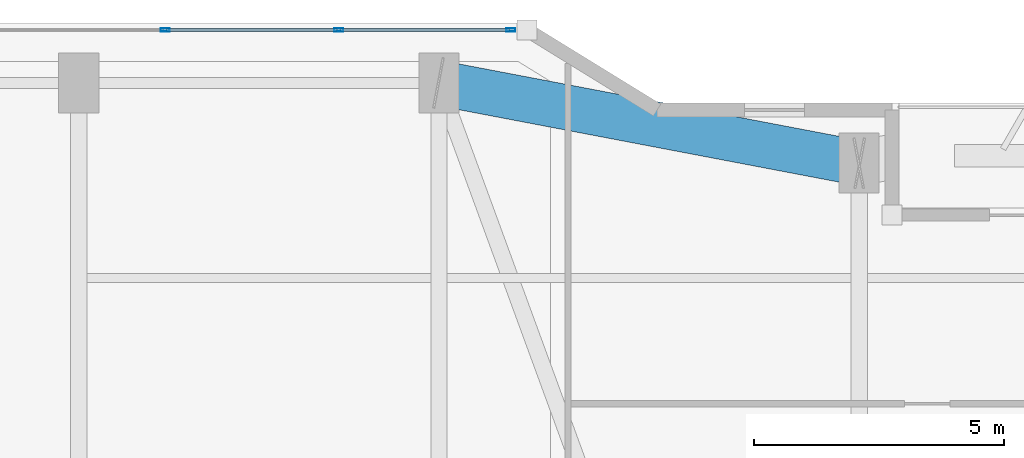
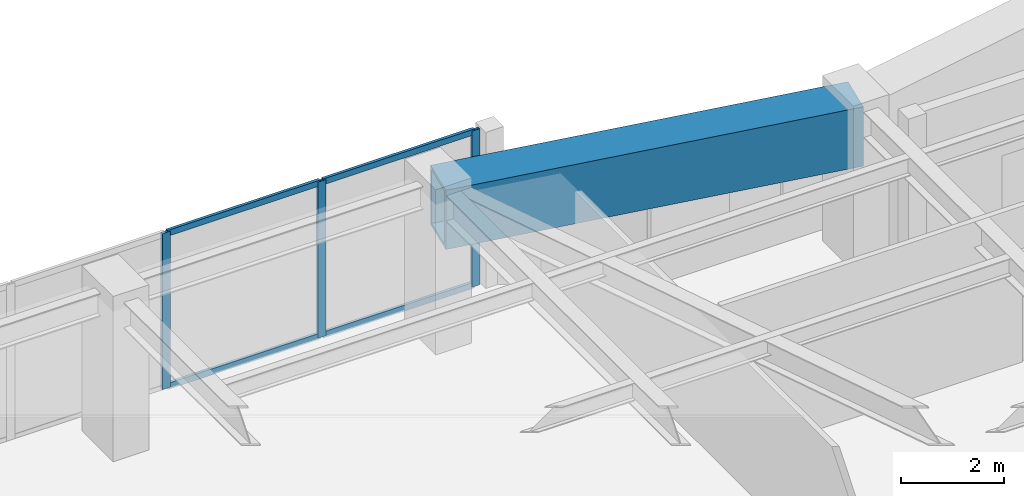
# One storey, part 19 of 30: 7 members, 1 beam, 1 element without a shape of its own.
"""IFC4 building model written with IfcOpenShell, lengths in metres."""

from ifc_helpers import new_model, si_unit, direction, frame, origin, origin_2d, place, context, subcontext, project, spatial, hollow_rectangle, extrude, material, layer, layer_set, material_profile, profile_set, type_object, element, aggregate, save


model = new_model("IFC4")

# Units and contexts
model_context = context("Model", 3, precision=1e-05, world=origin(), true_north=direction((0.0, 1.0)))
body_context = subcontext(model_context, "Body", "Model", "MODEL_VIEW")
ifc_project = project(units=[si_unit("LENGTHUNIT", "METRE"), si_unit("AREAUNIT", "SQUARE_METRE"), si_unit("VOLUMEUNIT", "CUBIC_METRE"), si_unit("PLANEANGLEUNIT", "RADIAN"), si_unit("MASSUNIT", "GRAM", prefix="KILO")], contexts=[model_context])

# Site, building, storey
site_placement = place(None, origin())
site = spatial("IfcSite", under=ifc_project, at=site_placement, CompositionType="ELEMENT")
building_placement = place(site_placement, origin())
building = spatial("IfcBuilding", under=site, at=building_placement, Name="Kiyonajd Concourse Tower", CompositionType="ELEMENT")
storey_placement = place(building_placement, frame((0.0, 0.0, 194.10009765625)))
storey = spatial("IfcBuildingStorey", under=building, at=storey_placement, Name="L49", CompositionType="ELEMENT", Elevation=194.10009765625)

# Beam
ifc_material_1 = material(Name="Steel ASTM A572 Grade 50", Category="steel")
ifc_material_profile_1 = material_profile(ifc_material_1, hollow_rectangle(XDim=0.89990234375, YDim=1.39990234375, WallThickness=0.070068359375, at=origin_2d()), Name="BOX-1400x900x70")
ifc_profile_set_1 = profile_set([ifc_material_profile_1], Name="Steel ASTM A572 Grade 50")
beam_type = type_object("IfcBeamType", Name="BM-XFER-1400", PredefinedType="BEAM", material=ifc_profile_set_1)
beam_placement = place(storey_placement, frame((48.0, 59.60009765625, 2.97998046875), z_axis=(-0.982341315253, 0.187097675953, 0.0), x_axis=(-0.187097675953, -0.982341315253, 0.0)))
element("IfcBeam", 1, at=beam_placement, inside=storey, type_object=beam_type, Name="L49 Perimeter Bundled Tube Spandrel", PredefinedType="BEAM", context=body_context, shape_type="SweptSolid", body=[
    extrude(hollow_rectangle(XDim=0.89990234375, YDim=1.39990234375, WallThickness=0.070068359375, at=origin_2d()), origin(), (0.0, 0.0, 1.0), 8.55078125),
])

# Curtain wall, members
ifc_material_2 = material(Name="Thermally Broken Anodised Aluminium", Category="aluminium")
ifc_layer = layer(ifc_material_2, 0.179931640625)
ifc_layer_set = layer_set([ifc_layer], Name="Thermally Broken Anodised Aluminium")
curtain_wall_type = type_object("IfcCurtainWallType", Name="CW-SYS-03", PredefinedType="NOTDEFINED", material=ifc_layer_set)
curtain_wall_placement = place(storey_placement, origin())
curtain_wall = element("IfcCurtainWall", 2, at=curtain_wall_placement, inside=storey, type_object=curtain_wall_type, Name="L49 Unitised Curtain Wall CW3", PredefinedType="NOTDEFINED")
ifc_material_profile_2 = material_profile(ifc_material_2, hollow_rectangle(XDim=0.06494140625, YDim=0.179931640625, WallThickness=0.00390625, at=origin_2d()), Name="MULL-65x180")
ifc_profile_set_2 = profile_set([ifc_material_profile_2], Name="Thermally Broken Anodised Aluminium")
member_type_1 = type_object("IfcMemberType", Name="MB-CW-MULL1", PredefinedType="MULLION", material=ifc_profile_set_2)
member_1_placement = place(storey_placement, frame((34.12548828125, 62.260009765625, 0.0), z_axis=(0.0, 0.0, 1.0), x_axis=(0.0, 1.0, 0.0)))
member_1 = element("IfcMember", 3, at=member_1_placement, type_object=member_type_1, Name="CW3 mullion 4", PredefinedType="MULLION", context=body_context, shape_type="SweptSolid", body=[
    extrude(hollow_rectangle(XDim=0.06494140625, YDim=0.179931640625, WallThickness=0.00390625, at=origin_2d()), origin(), (0.0, 0.0, 1.0), 3.679931640625),
])
member_2_placement = place(storey_placement, frame((37.597900390625, 62.260009765625, 0.0), z_axis=(0.0, 0.0, 1.0), x_axis=(0.0, 1.0, 0.0)))
member_2 = element("IfcMember", 4, at=member_2_placement, type_object=member_type_1, Name="CW3 mullion 5", PredefinedType="MULLION", context=body_context, shape_type="SweptSolid", body=[
    extrude(hollow_rectangle(XDim=0.06494140625, YDim=0.179931640625, WallThickness=0.00390625, at=origin_2d()), origin(), (0.0, 0.0, 1.0), 3.679931640625),
])
member_3_placement = place(storey_placement, frame((41.037841796875, 62.260009765625, 0.0), z_axis=(0.0, 0.0, 1.0), x_axis=(0.0, 1.0, 0.0)))
member_3 = element("IfcMember", 5, at=member_3_placement, type_object=member_type_1, Name="CW3 mullion 6", PredefinedType="MULLION", context=body_context, shape_type="SweptSolid", body=[
    extrude(hollow_rectangle(XDim=0.06494140625, YDim=0.179931640625, WallThickness=0.00390625, at=origin_2d()), origin(), (0.0, 0.0, 1.0), 3.679931640625),
])
ifc_material_profile_3 = material_profile(ifc_material_2, hollow_rectangle(XDim=0.06494140625, YDim=0.139892578125, WallThickness=0.00390625, at=origin_2d()), Name="TRAN-65x140")
ifc_profile_set_3 = profile_set([ifc_material_profile_3], Name="Thermally Broken Anodised Aluminium")
member_type_2 = type_object("IfcMemberType", Name="MB-CW-TRAN1", PredefinedType="USERDEFINED", material=ifc_profile_set_3)
member_4_placement = place(storey_placement, frame((34.158203125, 62.260009765625, 0.032470703125), z_axis=(1.0, 0.0, 0.0), x_axis=(0.0, 1.0, 0.0)))
member_4 = element("IfcMember", 6, at=member_4_placement, type_object=member_type_2, Name="CW3 transom 4.1", ObjectType="TRANSOM", PredefinedType="USERDEFINED", context=body_context, shape_type="SweptSolid", body=[
    extrude(hollow_rectangle(XDim=0.06494140625, YDim=0.139892578125, WallThickness=0.00390625, at=origin_2d()), origin(), (0.0, 0.0, 1.0), 3.4072265625),
])
member_5_placement = place(storey_placement, frame((34.158203125, 62.260009765625, 3.6474609375), z_axis=(1.0, 0.0, 0.0), x_axis=(0.0, 1.0, 0.0)))
member_5 = element("IfcMember", 7, at=member_5_placement, type_object=member_type_2, Name="CW3 transom 4.2", ObjectType="TRANSOM", PredefinedType="USERDEFINED", context=body_context, shape_type="SweptSolid", body=[
    extrude(hollow_rectangle(XDim=0.06494140625, YDim=0.139892578125, WallThickness=0.00390625, at=origin_2d()), origin(), (0.0, 0.0, 1.0), 3.4072265625),
])
member_6_placement = place(storey_placement, frame((37.630615234375, 62.260009765625, 0.032470703125), z_axis=(1.0, 0.0, 0.0), x_axis=(0.0, 1.0, 0.0)))
member_6 = element("IfcMember", 8, at=member_6_placement, type_object=member_type_2, Name="CW3 transom 5.1", ObjectType="TRANSOM", PredefinedType="USERDEFINED", context=body_context, shape_type="SweptSolid", body=[
    extrude(hollow_rectangle(XDim=0.06494140625, YDim=0.139892578125, WallThickness=0.00390625, at=origin_2d()), origin(), (0.0, 0.0, 1.0), 3.374755859375),
])
member_7_placement = place(storey_placement, frame((37.630615234375, 62.260009765625, 3.6474609375), z_axis=(1.0, 0.0, 0.0), x_axis=(0.0, 1.0, 0.0)))
member_7 = element("IfcMember", 9, at=member_7_placement, type_object=member_type_2, Name="CW3 transom 5.2", ObjectType="TRANSOM", PredefinedType="USERDEFINED", context=body_context, shape_type="SweptSolid", body=[
    extrude(hollow_rectangle(XDim=0.06494140625, YDim=0.139892578125, WallThickness=0.00390625, at=origin_2d()), origin(), (0.0, 0.0, 1.0), 3.374755859375),
])
aggregate(curtain_wall, [member_1, member_2, member_3, member_4, member_5, member_6, member_7])

save(model, "model.ifc")
